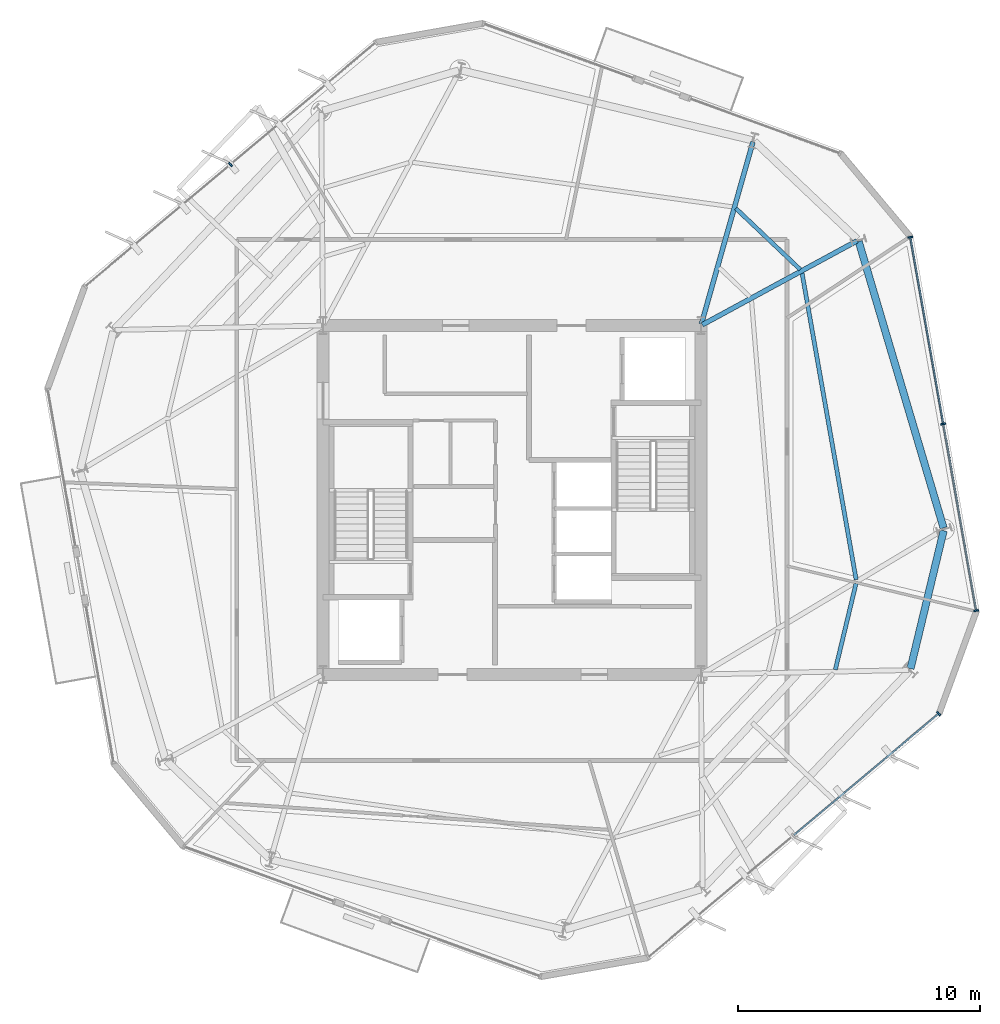
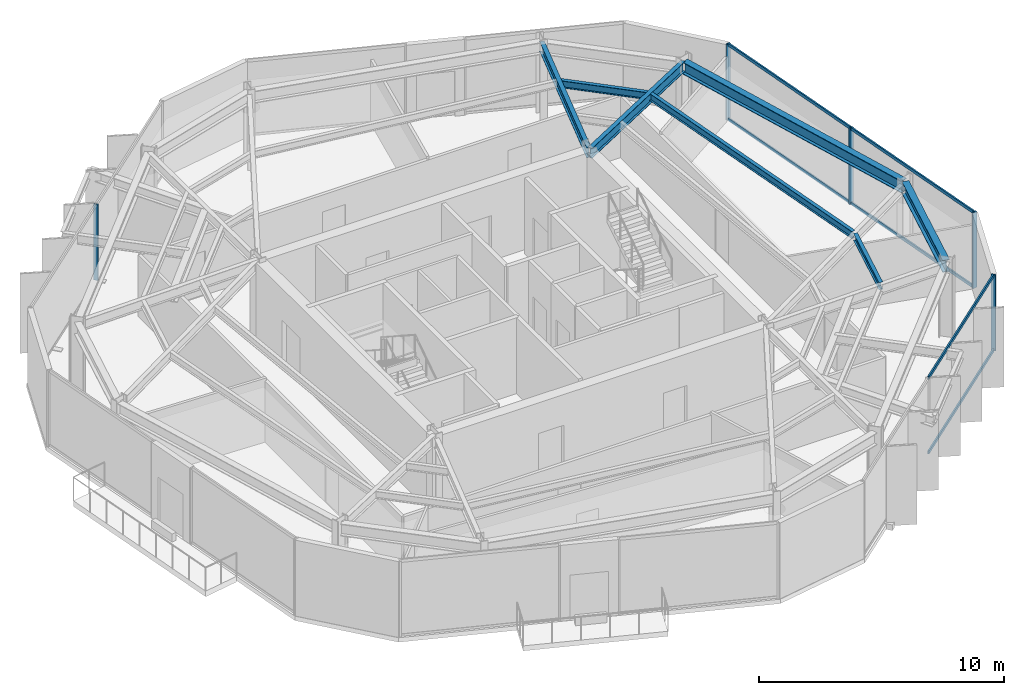
# One storey, part 4 of 11: 11 members, 7 beams, 3 elements without a shape of their own.
"""IFC4 building model written with IfcOpenShell, lengths in metres."""

import ifcopenshell
import ifcopenshell.guid

model = None  # the IFC model being written
_history = None  # IfcOwnerHistory: only IFC2X3 demands one
_inside = {}  # id of a spatial element -> (the spatial element, [elements in it])
_under = {}  # id of a project, library or spatial element -> (it, [spatial elements below it])
_declared = {}  # id of a project -> (the project, [libraries it declares])
_typed = {}  # id of a type object -> (the type object, [elements of that type])
_made_of = {}  # id of a material, layer set ... -> (it, [elements and type objects made of it])


def new_model(schema):
    """Start an empty IFC model of exactly this schema.

    Asked for "IFC4X3", IfcOpenShell would pick the latest addendum, in which some entities
    have other attributes; the version numbers below select the first issue.
    IFC2X3 requires an IfcOwnerHistory on every rooted entity: one is made here for all.
    """
    global model, _history
    if schema == "IFC4X3":
        model = ifcopenshell.file(schema_version=(4, 3, 0, 0))
    else:
        model = ifcopenshell.file(schema=schema)
    _inside.clear()
    _under.clear()
    _declared.clear()
    _typed.clear()
    _made_of.clear()
    _history = None
    if model.schema == "IFC2X3":
        org = make("IfcOrganization", Name="unknown")
        user = make(
            "IfcPersonAndOrganization",
            ThePerson=make("IfcPerson", FamilyName="unknown"),
            TheOrganization=org,
        )
        app = make(
            "IfcApplication",
            ApplicationDeveloper=org,
            Version="unknown",
            ApplicationFullName="unknown",
            ApplicationIdentifier="unknown",
        )
        _history = make(
            "IfcOwnerHistory",
            OwningUser=user,
            OwningApplication=app,
            ChangeAction="ADDED",
            CreationDate=0,
        )
    return model


def make(cls, **values):
    """One entity of the class cls with the attributes given. An attribute that is None is left unset."""
    return model.create_entity(
        cls, **{name: value for name, value in values.items() if value is not None}
    )


def rooted(cls, **values):
    """An entity with a GlobalId (a new one), such as an element, a storey or a relation."""
    return make(cls, GlobalId=ifcopenshell.guid.new(), OwnerHistory=_history, **values)


def si_unit(unit_type, name, prefix=None):
    """IfcSIUnit, for example si_unit("LENGTHUNIT", "METRE", prefix="MILLI")."""
    return make("IfcSIUnit", UnitType=unit_type, Prefix=prefix, Name=name)


def assignment(units):
    """IfcUnitAssignment: the units of a project."""
    return None if units is None else make("IfcUnitAssignment", Units=units)


def point(xyz):
    """IfcCartesianPoint."""
    return None if xyz is None else make("IfcCartesianPoint", Coordinates=xyz)


def direction(xyz):
    """IfcDirection."""
    return None if xyz is None else make("IfcDirection", DirectionRatios=xyz)


def frame(location, z_axis=None, x_axis=None):
    """IfcAxis2Placement3D, a coordinate frame: its origin and axes. An axis left out is left unset."""
    return make(
        "IfcAxis2Placement3D",
        Location=point(location),
        Axis=direction(z_axis),
        RefDirection=direction(x_axis),
    )


def frame_2d(location, x_axis=None):
    """IfcAxis2Placement2D, a coordinate frame in the plane: its origin and x axis."""
    return make(
        "IfcAxis2Placement2D", Location=point(location), RefDirection=direction(x_axis)
    )


def origin():
    """The frame at (0, 0, 0) with its axes left unset."""
    return frame((0.0, 0.0, 0.0))


def origin_2d():
    """The frame at (0, 0) in the plane with its x axis left unset."""
    return frame_2d((0.0, 0.0))


def place(relative_to, where):
    """IfcLocalPlacement: puts the frame where relative to a parent placement (None: the world)."""
    return make(
        "IfcLocalPlacement", PlacementRelTo=relative_to, RelativePlacement=where
    )


def context(
    kind, dimensions, precision=None, world=None, true_north=None, identifier=None
):
    """IfcGeometricRepresentationContext, for example the 3D "Model" context."""
    return make(
        "IfcGeometricRepresentationContext",
        ContextIdentifier=identifier,
        ContextType=kind,
        CoordinateSpaceDimension=dimensions,
        Precision=precision,
        WorldCoordinateSystem=world,
        TrueNorth=true_north,
    )


def subcontext(parent, identifier, kind, view, scale=None):
    """IfcGeometricRepresentationSubContext, for example "Body" below "Model"."""
    return make(
        "IfcGeometricRepresentationSubContext",
        ContextIdentifier=identifier,
        ContextType=kind,
        ParentContext=parent,
        TargetScale=scale,
        TargetView=view,
    )


def project(units=None, contexts=None):
    """IfcProject with its units and contexts."""
    return rooted(
        "IfcProject",
        Name="project",
        RepresentationContexts=contexts,
        UnitsInContext=assignment(units),
    )


def spatial(cls, under=None, at=None, **own):
    """A site, building, storey or space (cls), placed at a placement, below another one or the project."""
    s = rooted(cls, ObjectPlacement=at, **own)
    if under is not None:
        _under.setdefault(under.id(), (under, []))[1].append(s)
    return s


def profile(cls, at=None, kind="AREA", **sizes):
    """A parametric profile (cls). Its sizes go by their IFC names, for example OverallWidth=200.0."""
    return make(cls, ProfileType=kind, Position=at, **sizes)


def rectangle(**sizes):
    """IfcRectangleProfileDef."""
    return profile("IfcRectangleProfileDef", **sizes)


def i_section(**sizes):
    """IfcIShapeProfileDef."""
    return profile("IfcIShapeProfileDef", **sizes)


def extrude(swept, where, along, depth):
    """IfcExtrudedAreaSolid: the profile swept, set in the frame where, extruded along a direction by depth."""
    return make(
        "IfcExtrudedAreaSolid",
        SweptArea=swept,
        Position=where,
        ExtrudedDirection=direction(along),
        Depth=depth,
    )


def shape(context_of_items, identifier, shape_type, items):
    """IfcShapeRepresentation: the items that make up one representation, for example the "Body"."""
    return make(
        "IfcShapeRepresentation",
        ContextOfItems=context_of_items,
        RepresentationIdentifier=identifier,
        RepresentationType=shape_type,
        Items=items,
    )


def material(Name=None, Category=None):
    """IfcMaterial."""
    return make("IfcMaterial", Name=Name, Category=Category)


def layer(
    of_material, thickness, ventilated=None, Name=None, Category=None, Priority=None
):
    """IfcMaterialLayer: one layer of a wall or slab, of a material (None: an air gap)."""
    return make(
        "IfcMaterialLayer",
        Material=of_material,
        LayerThickness=thickness,
        IsVentilated=ventilated,
        Name=Name,
        Category=Category,
        Priority=Priority,
    )


def layer_set(layers, Name=None):
    """IfcMaterialLayerSet."""
    return make("IfcMaterialLayerSet", MaterialLayers=layers, LayerSetName=Name)


def material_profile(
    of_material, cross_section, Name=None, Category=None, Priority=None
):
    """IfcMaterialProfile: a cross section and its material."""
    return make(
        "IfcMaterialProfile",
        Name=Name,
        Material=of_material,
        Profile=cross_section,
        Priority=Priority,
        Category=Category,
    )


def profile_set(profiles, Name=None, composite=None):
    """IfcMaterialProfileSet."""
    return make(
        "IfcMaterialProfileSet",
        Name=Name,
        MaterialProfiles=profiles,
        CompositeProfile=composite,
    )


def made_of(thing, what):
    """Note that an element or type object is made of a material, layer set ...; save() writes the relation."""
    if what is not None:
        _made_of.setdefault(what.id(), (what, []))[1].append(thing)
    return thing


def type_object(cls, material=None, **own):
    """A type object (cls), such as IfcWallType, which elements share."""
    return made_of(rooted(cls, **own), material)


def element(
    cls,
    number,
    at=None,
    inside=None,
    cuts=None,
    type_object=None,
    material=None,
    context=None,
    identifier="Body",
    shape_type=None,
    held_by="IfcProductDefinitionShape",
    body=None,
    shapes=None,
    **own,
):
    """One element of the class cls, such as IfcWall. Its Tag is "e" and its number.

    at: its placement. inside: the storey or other place that contains it. cuts: it is an
    opening in that element (IfcRelVoidsElement). A single representation is given by context,
    identifier, shape_type and body (its items); several are given by shapes. held_by: the class
    of the entity that holds the representations. save() writes the other relations.
    """
    e = rooted(cls, Tag="e%d" % number, ObjectPlacement=at, **own)
    if body is not None:
        shapes = [shape(context, identifier, shape_type, body)]
    if shapes is not None:
        e.Representation = make(held_by, Representations=shapes)
    if inside is not None:
        _inside.setdefault(inside.id(), (inside, []))[1].append(e)
    if cuts is not None:
        rooted(
            "IfcRelVoidsElement", RelatingBuildingElement=cuts, RelatedOpeningElement=e
        )
    if type_object is not None:
        _typed.setdefault(type_object.id(), (type_object, []))[1].append(e)
    return made_of(e, material)


def aggregate(whole, parts):
    """IfcRelAggregates: a whole, such as a stair, and the parts it consists of."""
    return rooted("IfcRelAggregates", RelatingObject=whole, RelatedObjects=parts)


def save(model, path):
    """Write the relations noted so far, then the file.

    IfcRelAggregates (storeys below a building ...), IfcRelContainedInSpatialStructure (elements
    in a storey), IfcRelDefinesByType, IfcRelAssociatesMaterial and IfcRelDeclares: one each for
    every whole, place, type object, material and project.
    """
    for whole, parts in _under.values():
        aggregate(whole, parts)
    for where, things in _inside.values():
        rooted(
            "IfcRelContainedInSpatialStructure",
            RelatedElements=things,
            RelatingStructure=where,
        )
    for kind, things in _typed.values():
        rooted("IfcRelDefinesByType", RelatedObjects=things, RelatingType=kind)
    for what, things in _made_of.values():
        rooted("IfcRelAssociatesMaterial", RelatedObjects=things, RelatingMaterial=what)
    for by, libraries in _declared.values():
        rooted("IfcRelDeclares", RelatingContext=by, RelatedDefinitions=libraries)
    model.write(path)


model = new_model("IFC4")

# Units and contexts
model_context = context("Model", 3, precision=1e-05, world=origin(), true_north=direction((0.0, 1.0)))
body_context = subcontext(model_context, "Body", "Model", "MODEL_VIEW")
ifc_project = project(units=[si_unit("LENGTHUNIT", "METRE"), si_unit("AREAUNIT", "SQUARE_METRE"), si_unit("VOLUMEUNIT", "CUBIC_METRE"), si_unit("PLANEANGLEUNIT", "RADIAN"), si_unit("MASSUNIT", "GRAM", prefix="KILO")], contexts=[model_context])

# Site, building, storey
site_placement = place(None, origin())
site = spatial("IfcSite", under=ifc_project, at=site_placement, CompositionType="ELEMENT")
building_placement = place(site_placement, origin())
building = spatial("IfcBuilding", under=site, at=building_placement, Name="Kranzbogen Civic Tower", CompositionType="ELEMENT")
storey_placement = place(building_placement, frame((0.0, 0.0, 184.800048828125)))
storey = spatial("IfcBuildingStorey", under=building, at=storey_placement, Name="L44", CompositionType="ELEMENT", Elevation=184.800048828125)

# Curtain wall, member
ifc_material_1 = material(Name="Pale Anodised Aluminium", Category="aluminium")
ifc_layer = layer(ifc_material_1, 0.219970703125, Name="Pale Anodised Aluminium")
ifc_layer_set = layer_set([ifc_layer], Name="Pale Anodised Aluminium")
curtain_wall_type = type_object("IfcCurtainWallType", Name="Zone 3 Stick Curtain Wall System CW-04", PredefinedType="USERDEFINED", material=ifc_layer_set)
curtain_wall_1_placement = place(storey_placement, origin())
curtain_wall_1 = element("IfcCurtainWall", 1, at=curtain_wall_1_placement, inside=storey, type_object=curtain_wall_type, Name="L44 curtain wall CW-L44-F2", ObjectType="STICK CURTAIN WALL", PredefinedType="USERDEFINED")
ifc_material_profile_1 = material_profile(ifc_material_1, rectangle(XDim=0.070068359375, YDim=0.199951171875, at=origin_2d()), Name="ALU-M 70x200")
ifc_profile_set_1 = profile_set([ifc_material_profile_1], Name="Pale Anodised Aluminium")
member_type_1 = type_object("IfcMemberType", Name="Curtain Wall Mullion ALU-M 70x200", PredefinedType="MULLION", material=ifc_profile_set_1)
member_1_placement = place(storey_placement, frame((13.383544921875, 38.843994140625, 0.0), z_axis=(0.0, 0.0, 1.0), x_axis=(-0.766072212874, -0.642754513529, 0.0)))
member_1 = element("IfcMember", 2, at=member_1_placement, type_object=member_type_1, Name="CW-04 mullion 2", PredefinedType="MULLION", context=body_context, shape_type="SweptSolid", body=[
    extrude(rectangle(XDim=0.070068359375, YDim=0.199951171875, at=origin_2d()), origin(), (0.0, 0.0, 1.0), 3.780029296875),
])
aggregate(curtain_wall_1, [member_1])

curtain_wall_2_placement = place(storey_placement, origin())
curtain_wall_2 = element("IfcCurtainWall", 3, at=curtain_wall_2_placement, inside=storey, type_object=curtain_wall_type, Name="L44 curtain wall CW-L44-F5", ObjectType="STICK CURTAIN WALL", PredefinedType="USERDEFINED")
member_2_placement = place(storey_placement, frame((42.610107421875, 16.184814453125, 0.0), z_axis=(0.0, 0.0, 1.0), x_axis=(0.766072212874, 0.642754513529, 0.0)))
member_2 = element("IfcMember", 4, at=member_2_placement, type_object=member_type_1, Name="CW-04 mullion 3", PredefinedType="MULLION", context=body_context, shape_type="SweptSolid", body=[
    extrude(rectangle(XDim=0.070068359375, YDim=0.199951171875, at=origin_2d()), origin(), (0.0, 0.0, 1.0), 3.780029296875),
])

# Curtain wall, members
curtain_wall_3_placement = place(storey_placement, origin())
curtain_wall_3 = element("IfcCurtainWall", 5, at=curtain_wall_3_placement, inside=storey, type_object=curtain_wall_type, Name="L44 curtain wall CW-L44-F6", ObjectType="STICK CURTAIN WALL", PredefinedType="USERDEFINED")
member_3_placement = place(storey_placement, frame((44.15576171875, 20.43359375, 0.0), z_axis=(0.0, 0.0, 1.0), x_axis=(-0.173672747489, 0.984803420374, 0.0)))
member_3 = element("IfcMember", 6, at=member_3_placement, type_object=member_type_1, Name="CW-04 mullion 1", PredefinedType="MULLION", context=body_context, shape_type="SweptSolid", body=[
    extrude(rectangle(XDim=0.070068359375, YDim=0.199951171875, at=origin_2d()), origin(), (0.0, 0.0, 1.0), 3.780029296875),
])
member_4_placement = place(storey_placement, frame((42.797119140625, 28.138427734375, 0.0), z_axis=(0.0, 0.0, 1.0), x_axis=(-0.173672747489, 0.984803420374, 0.0)))
member_4 = element("IfcMember", 7, at=member_4_placement, type_object=member_type_1, Name="CW-04 mullion 2", PredefinedType="MULLION", context=body_context, shape_type="SweptSolid", body=[
    extrude(rectangle(XDim=0.070068359375, YDim=0.199951171875, at=origin_2d()), origin(), (0.0, 0.0, 1.0), 3.780029296875),
])
member_5_placement = place(storey_placement, frame((41.438232421875, 35.843505859375, 0.0), z_axis=(0.0, 0.0, 1.0), x_axis=(-0.173672747489, 0.984803420374, 0.0)))
member_5 = element("IfcMember", 8, at=member_5_placement, type_object=member_type_1, Name="CW-04 mullion 3", PredefinedType="MULLION", context=body_context, shape_type="SweptSolid", body=[
    extrude(rectangle(XDim=0.070068359375, YDim=0.199951171875, at=origin_2d()), origin(), (0.0, 0.0, 1.0), 3.780029296875),
])

# Member
ifc_material_profile_2 = material_profile(ifc_material_1, rectangle(XDim=0.070068359375, YDim=0.14990234375, at=origin_2d()), Name="ALU-T 70x150")
ifc_profile_set_2 = profile_set([ifc_material_profile_2], Name="Pale Anodised Aluminium")
member_type_2 = type_object("IfcMemberType", Name="Curtain Wall Transom ALU-T 70x150", PredefinedType="USERDEFINED", material=ifc_profile_set_2)
member_6_placement = place(storey_placement, frame((36.639404296875, 11.17529296875, 0.030029296875), z_axis=(0.766064667028, 0.642763507001, 0.0), x_axis=(-0.642763507001, 0.766064667028, 0.0)))
member_6 = element("IfcMember", 9, at=member_6_placement, type_object=member_type_2, Name="CW-04 transom 2.1", ObjectType="TRANSOM", PredefinedType="USERDEFINED", context=body_context, shape_type="SweptSolid", body=[
    extrude(rectangle(XDim=0.070068359375, YDim=0.14990234375, at=origin_2d()), origin(), (0.0, 0.0, 1.0), 7.763671875),
])

member_7_placement = place(storey_placement, frame((36.639404296875, 11.17529296875, 3.75), z_axis=(0.766064667028, 0.642763507001, 0.0), x_axis=(-0.642763507001, 0.766064667028, 0.0)))
member_7 = element("IfcMember", 10, at=member_7_placement, type_object=member_type_2, Name="CW-04 transom 2.2", ObjectType="TRANSOM", PredefinedType="USERDEFINED", context=body_context, shape_type="SweptSolid", body=[
    extrude(rectangle(XDim=0.070068359375, YDim=0.14990234375, at=origin_2d()), origin(), (0.0, 0.0, 1.0), 7.763671875),
])

aggregate(curtain_wall_2, [member_2, member_6, member_7])

member_8_placement = place(storey_placement, frame((44.150634765625, 20.463134765625, 0.030029296875), z_axis=(-0.173677698019, 0.984802547321, 0.0), x_axis=(-0.984802547321, -0.173677698019, 0.0)))
member_8 = element("IfcMember", 11, at=member_8_placement, type_object=member_type_2, Name="CW-04 transom 1.1", ObjectType="TRANSOM", PredefinedType="USERDEFINED", context=body_context, shape_type="SweptSolid", body=[
    extrude(rectangle(XDim=0.070068359375, YDim=0.14990234375, at=origin_2d()), origin(), (0.0, 0.0, 1.0), 7.763671875),
])

member_9_placement = place(storey_placement, frame((44.150634765625, 20.463134765625, 3.75), z_axis=(-0.173677698019, 0.984802547321, 0.0), x_axis=(-0.984802547321, -0.173677698019, 0.0)))
member_9 = element("IfcMember", 12, at=member_9_placement, type_object=member_type_2, Name="CW-04 transom 1.2", ObjectType="TRANSOM", PredefinedType="USERDEFINED", context=body_context, shape_type="SweptSolid", body=[
    extrude(rectangle(XDim=0.070068359375, YDim=0.14990234375, at=origin_2d()), origin(), (0.0, 0.0, 1.0), 7.763671875),
])

member_10_placement = place(storey_placement, frame((42.791748046875, 28.16796875, 0.030029296875), z_axis=(-0.17367231967, 0.984803495821, 0.0), x_axis=(-0.984803495821, -0.17367231967, 0.0)))
member_10 = element("IfcMember", 13, at=member_10_placement, type_object=member_type_2, Name="CW-04 transom 2.1", ObjectType="TRANSOM", PredefinedType="USERDEFINED", context=body_context, shape_type="SweptSolid", body=[
    extrude(rectangle(XDim=0.070068359375, YDim=0.14990234375, at=origin_2d()), origin(), (0.0, 0.0, 1.0), 7.763916015625),
])

member_11_placement = place(storey_placement, frame((42.791748046875, 28.16796875, 3.75), z_axis=(-0.17367231967, 0.984803495821, 0.0), x_axis=(-0.984803495821, -0.17367231967, 0.0)))
member_11 = element("IfcMember", 14, at=member_11_placement, type_object=member_type_2, Name="CW-04 transom 2.2", ObjectType="TRANSOM", PredefinedType="USERDEFINED", context=body_context, shape_type="SweptSolid", body=[
    extrude(rectangle(XDim=0.070068359375, YDim=0.14990234375, at=origin_2d()), origin(), (0.0, 0.0, 1.0), 7.763916015625),
])

aggregate(curtain_wall_3, [member_3, member_4, member_5, member_8, member_9, member_10, member_11])

# Beams
ifc_material_2 = material(Name="Steel S355", Category="steel")
ifc_material_profile_3 = material_profile(ifc_material_2, i_section(OverallWidth=0.300048828125, OverallDepth=0.60009765625, WebThickness=0.015380859375, FlangeThickness=0.030029296875, at=origin_2d()), Name="HEB 600")
ifc_profile_set_3 = profile_set([ifc_material_profile_3], Name="Steel S355")
beam_type_1 = type_object("IfcBeamType", Name="Perimeter Tube Spandrel Beam HEB 600", PredefinedType="SPANDREL", material=ifc_profile_set_3)
beam_1_placement = place(storey_placement, frame((41.447021484375, 18.0419921875, 3.47998046875), z_axis=(0.233554380434, 0.972343741369, 0.0), x_axis=(-0.972343741369, 0.233554380434, 0.0)))
element("IfcBeam", 15, at=beam_1_placement, inside=storey, type_object=beam_type_1, Name="L44 perimeter spandrel beam 05", PredefinedType="SPANDREL", context=body_context, shape_type="SweptSolid", body=[
    extrude(i_section(OverallWidth=0.300048828125, OverallDepth=0.60009765625, WebThickness=0.015380859375, FlangeThickness=0.030029296875, at=origin_2d()), origin(), (0.0, 0.0, 1.0), 5.852783203125),
])
beam_2_placement = place(storey_placement, frame((42.81103515625, 23.84912109375, 3.47998046875), z_axis=(-0.284064048956, 0.958805306666, 0.0), x_axis=(-0.958805306666, -0.284064048956, 0.0)))
element("IfcBeam", 16, at=beam_2_placement, inside=storey, type_object=beam_type_1, Name="L44 perimeter spandrel beam 06", PredefinedType="SPANDREL", context=body_context, shape_type="SweptSolid", body=[
    extrude(i_section(OverallWidth=0.300048828125, OverallDepth=0.60009765625, WebThickness=0.015380859375, FlangeThickness=0.030029296875, at=origin_2d()), origin(), (0.0, 0.0, 1.0), 12.32470703125),
])
ifc_material_profile_4 = material_profile(ifc_material_2, i_section(OverallWidth=0.199951171875, OverallDepth=0.5, WebThickness=0.01025390625, FlangeThickness=0.01611328125, at=origin_2d()), Name="IPE 500")
ifc_profile_set_4 = profile_set([ifc_material_profile_4], Name="Steel S355")
beam_type_2 = type_object("IfcBeamType", Name="Radial Tower Floor Girder IPE 500", PredefinedType="BEAM", material=ifc_profile_set_4)
beam_3_placement = place(storey_placement, frame((39.239990234375, 35.695068359375, 3.530029296875), z_axis=(-0.878919430102, -0.476970266777, 0.0), x_axis=(0.476970266777, -0.878919430102, 0.0)))
element("IfcBeam", 17, at=beam_3_placement, inside=storey, type_object=beam_type_2, Name="L44 radial floor girder 07", PredefinedType="BEAM", context=body_context, shape_type="SweptSolid", body=[
    extrude(i_section(OverallWidth=0.199951171875, OverallDepth=0.5, WebThickness=0.01025390625, FlangeThickness=0.01611328125, at=origin_2d()), origin(), (0.0, 0.0, 1.0), 7.266845703125),
])
beam_4_placement = place(storey_placement, frame((34.945068359375, 39.777099609375, 3.530029296875), z_axis=(-0.272455078988, -0.962168503919, 0.0), x_axis=(0.962168503919, -0.272455078988, 0.0)))
element("IfcBeam", 18, at=beam_4_placement, inside=storey, type_object=beam_type_2, Name="L44 radial floor girder 08", PredefinedType="BEAM", context=body_context, shape_type="SweptSolid", body=[
    extrude(i_section(OverallWidth=0.199951171875, OverallDepth=0.5, WebThickness=0.01025390625, FlangeThickness=0.01611328125, at=origin_2d()), origin(), (0.0, 0.0, 1.0), 7.814697265625),
])
ifc_material_profile_5 = material_profile(ifc_material_2, i_section(OverallWidth=0.169921875, OverallDepth=0.360107421875, WebThickness=0.008056640625, FlangeThickness=0.0126953125, at=origin_2d()), Name="IPE 360")
ifc_profile_set_5 = profile_set([ifc_material_profile_5], Name="Steel S355")
beam_type_3 = type_object("IfcBeamType", Name="Secondary Composite Floor Joist IPE 360", PredefinedType="JOIST", material=ifc_profile_set_5)
beam_5_placement = place(storey_placement, frame((38.343994140625, 17.99609375, 3.599853515625), z_axis=(0.233534367714, 0.972348548154, 0.0), x_axis=(-0.972348548154, 0.233534367714, 0.0)))
element("IfcBeam", 19, at=beam_5_placement, inside=storey, type_object=beam_type_3, Name="L44 secondary floor joist 1.05", PredefinedType="JOIST", context=body_context, shape_type="SweptSolid", body=[
    extrude(i_section(OverallWidth=0.169921875, OverallDepth=0.360107421875, WebThickness=0.008056640625, FlangeThickness=0.0126953125, at=origin_2d()), origin(), (0.0, 0.0, 1.0), 3.6611328125),
])
beam_6_placement = place(storey_placement, frame((39.2041015625, 21.712890625, 3.599853515625), z_axis=(-0.173805911364, 0.984779927281, 0.0), x_axis=(-0.984779927281, -0.173805911364, 0.0)))
element("IfcBeam", 20, at=beam_6_placement, inside=storey, type_object=beam_type_3, Name="L44 secondary floor joist 1.06", PredefinedType="JOIST", context=body_context, shape_type="SweptSolid", body=[
    extrude(i_section(OverallWidth=0.169921875, OverallDepth=0.360107421875, WebThickness=0.008056640625, FlangeThickness=0.0126953125, at=origin_2d()), origin(), (0.0, 0.0, 1.0), 12.85986328125),
])
beam_7_placement = place(storey_placement, frame((36.89697265625, 34.510009765625, 3.599853515625), z_axis=(-0.725300648604, 0.688432254572, 0.0), x_axis=(-0.688432254572, -0.725300648604, 0.0)))
element("IfcBeam", 21, at=beam_7_placement, inside=storey, type_object=beam_type_3, Name="L44 secondary floor joist 1.07", PredefinedType="JOIST", context=body_context, shape_type="SweptSolid", body=[
    extrude(i_section(OverallWidth=0.169921875, OverallDepth=0.360107421875, WebThickness=0.008056640625, FlangeThickness=0.0126953125, at=origin_2d()), origin(), (0.0, 0.0, 1.0), 3.661865234375),
])

save(model, "model.ifc")
